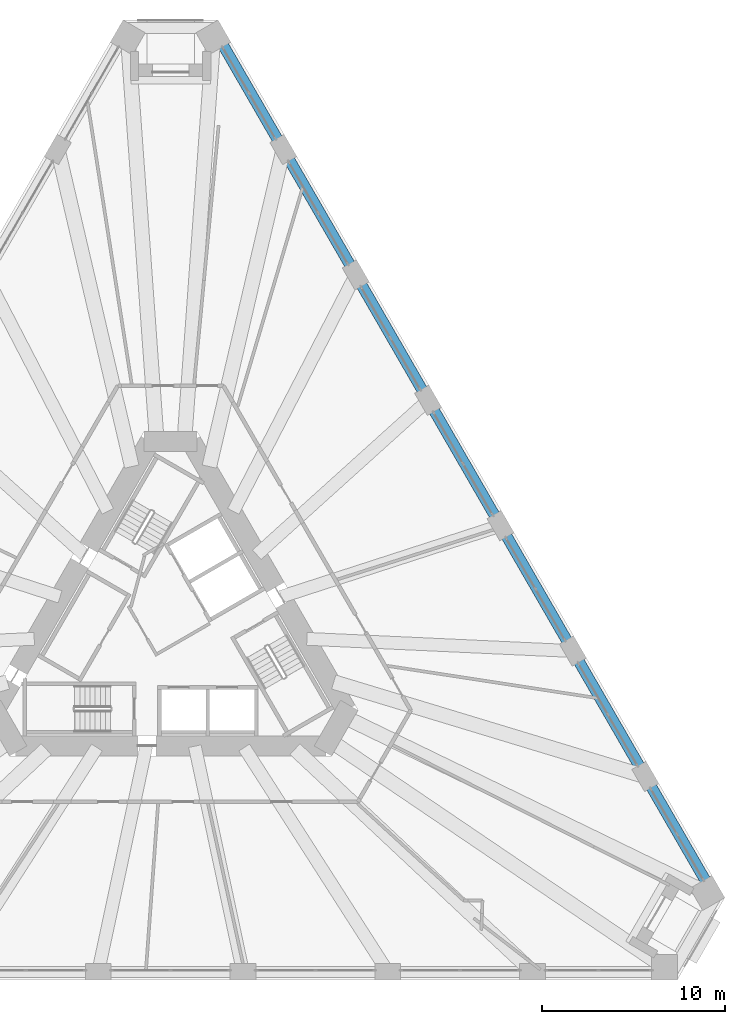
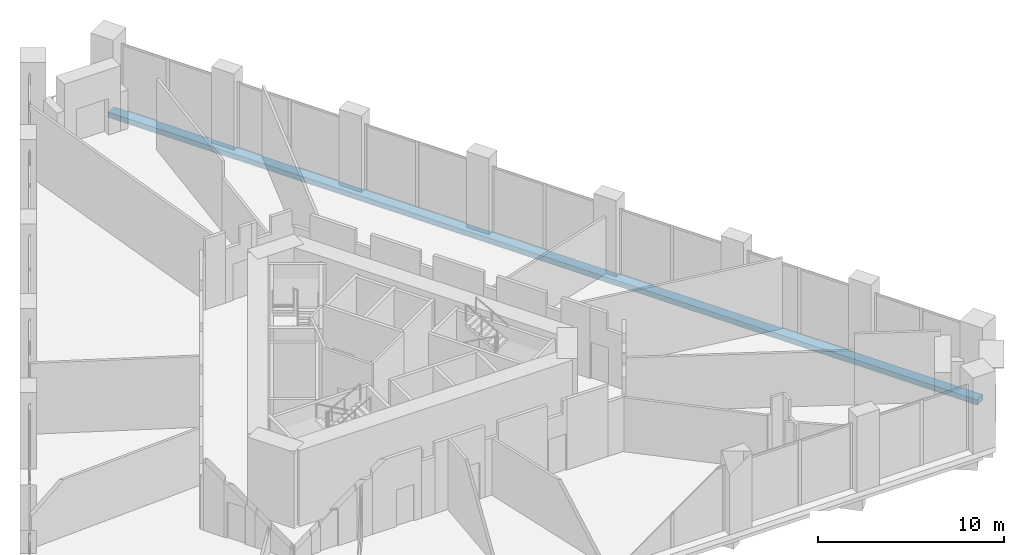
# One storey, part 9 of 20: 1 beam.
"""IFC4 building model written with IfcOpenShell, lengths in metres."""

from ifc_helpers import new_model, si_unit, direction, frame, origin, origin_2d, place, context, subcontext, project, spatial, rectangle, extrude, material, material_profile, profile_set, type_object, element, save


model = new_model("IFC4")

# Units and contexts
model_context = context("Model", 3, precision=1e-05, world=origin(), true_north=direction((0.0, 1.0)))
body_context = subcontext(model_context, "Body", "Model", "MODEL_VIEW")
ifc_project = project(units=[si_unit("LENGTHUNIT", "METRE"), si_unit("AREAUNIT", "SQUARE_METRE"), si_unit("VOLUMEUNIT", "CUBIC_METRE"), si_unit("PLANEANGLEUNIT", "RADIAN"), si_unit("MASSUNIT", "GRAM", prefix="KILO")], contexts=[model_context])

# Site, building, storey
site_placement = place(None, origin())
site = spatial("IfcSite", under=ifc_project, at=site_placement, CompositionType="ELEMENT")
building_placement = place(site_placement, origin())
building = spatial("IfcBuilding", under=site, at=building_placement, Name="Tramontana Tower", CompositionType="ELEMENT")
storey_placement = place(building_placement, frame((0.0, 0.0, 20.0)))
storey = spatial("IfcBuildingStorey", under=building, at=storey_placement, Name="L03", CompositionType="ELEMENT", Elevation=20.0)

# Beam
ifc_material = material(Name="Concrete 40 MPa", Category="concrete")
ifc_material_profile = material_profile(ifc_material, rectangle(XDim=0.60009765625, YDim=0.35009765625, at=origin_2d()), Name="RC EDGE BEAM 600X350 40 MPa")
ifc_profile_set = profile_set([ifc_material_profile], Name="Concrete 40 MPa")
beam_type = type_object("IfcBeamType", Name="RC EDGE BEAM 600X350 40 MPa", PredefinedType="SPANDREL", material=ifc_profile_set)
beam_placement = place(storey_placement, frame((29.5712890625, -14.118896484375, -0.52490234375), z_axis=(-0.500001490283, 0.866024543367, 0.0), x_axis=(-0.866024543367, -0.500001490283, 0.0)))
element("IfcBeam", 1, at=beam_placement, inside=storey, type_object=beam_type, Name="Spandrel beam S2 L03", PredefinedType="SPANDREL", context=body_context, shape_type="SweptSolid", body=[
    extrude(rectangle(XDim=0.60009765625, YDim=0.35009765625, at=origin_2d()), origin(), (0.0, 0.0, 1.0), 54.025634765625),
])

save(model, "model.ifc")
